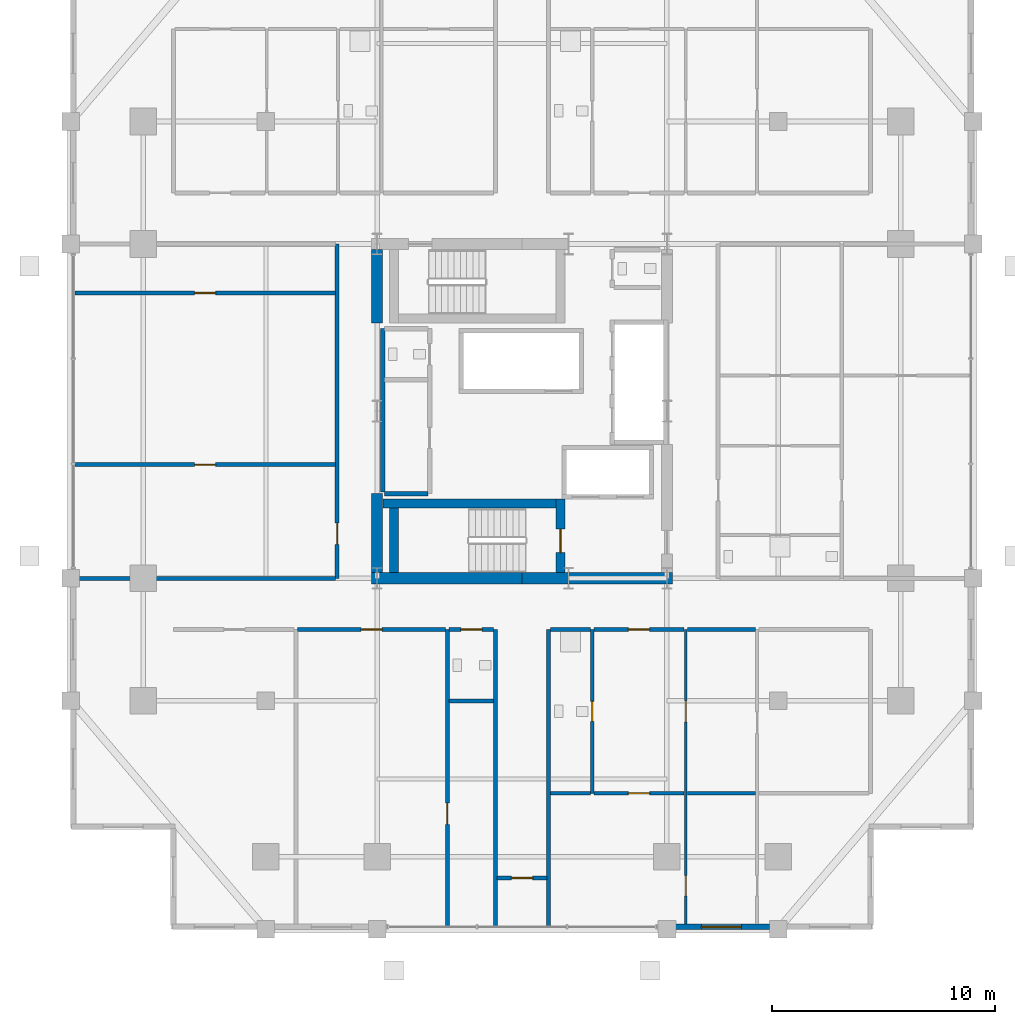
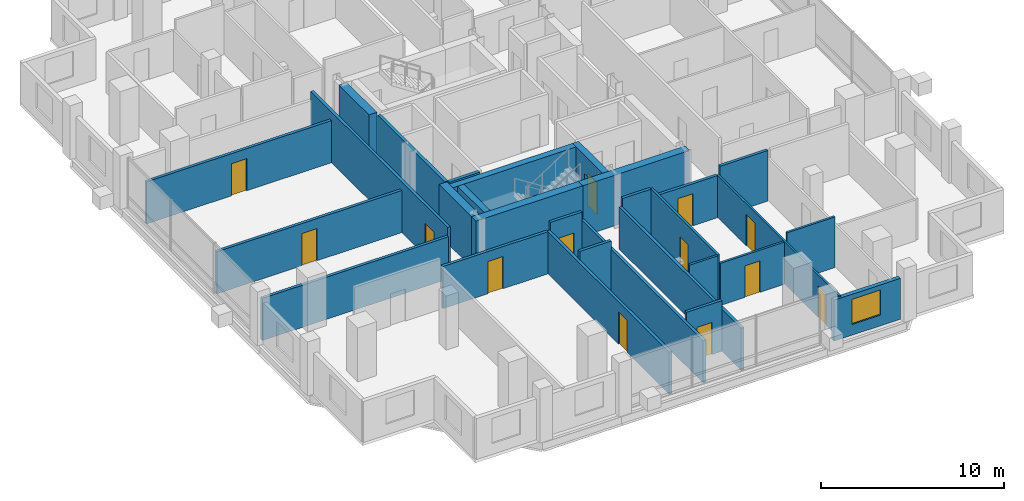
# One storey, part 14 of 20: 29 walls, 13 doors, 1 window, 14 openings.
"""IFC4 building model written with IfcOpenShell, lengths in metres."""

from ifc_helpers import new_model, si_unit, direction, frame, frame_2d, origin, place, context, subcontext, project, spatial, rectangle, extrude, material, layer, layer_set, type_object, element, fill, save


model = new_model("IFC4")

# Units and contexts
model_context = context("Model", 3, precision=1e-05, world=origin(), true_north=direction((0.0, 1.0)))
body_context = subcontext(model_context, "Body", "Model", "MODEL_VIEW")
ifc_project = project(units=[si_unit("LENGTHUNIT", "METRE"), si_unit("AREAUNIT", "SQUARE_METRE"), si_unit("VOLUMEUNIT", "CUBIC_METRE"), si_unit("PLANEANGLEUNIT", "RADIAN"), si_unit("MASSUNIT", "GRAM", prefix="KILO")], contexts=[model_context])

# Site, building, storey
site_placement = place(None, origin())
site = spatial("IfcSite", under=ifc_project, at=site_placement, CompositionType="ELEMENT")
building_placement = place(site_placement, origin())
building = spatial("IfcBuilding", under=site, at=building_placement, Name="Barlavira Tower and Art Museum", CompositionType="ELEMENT")
storey_placement = place(building_placement, frame((0.0, 0.0, 147.60009765625)))
storey = spatial("IfcBuildingStorey", under=building, at=storey_placement, Name="L37", CompositionType="ELEMENT", Elevation=147.60009765625)

# Wall, openings, doors
ifc_material_1 = material(Name="Gypsum acoustic stud partition", Category="gypsum")
ifc_layer_1 = layer(ifc_material_1, 0.1201171875, Name="Gypsum acoustic stud partition")
ifc_layer_set_1 = layer_set([ifc_layer_1], Name="Gypsum acoustic stud partition")
wall_type_1 = type_object("IfcWallType", Name="Apartment Internal Acoustic Partition 120", PredefinedType="PARTITIONING", material=ifc_layer_set_1)
wall_1_placement = place(storey_placement, frame((7.35009765625, -23.14990234375, 0.0), z_axis=(0.0, 0.0, 1.0), x_axis=(0.0, 1.0, 0.0)))
wall_1 = element("IfcWall", 1, at=wall_1_placement, inside=storey, type_object=wall_type_1, Name="L37 Partition Wall 17", PredefinedType="PARTITIONING", context=body_context, shape_type="SweptSolid", body=[
    extrude(rectangle(XDim=13.349853515625, YDim=0.1201171875, at=frame_2d((6.6748046875, 0.0))), origin(), (0.0, 0.0, 1.0), 2.81591796875),
])
opening_1_placement = place(wall_1_placement, frame((9.205078125, 0.0, 0.0)))
opening_1 = element("IfcOpeningElement", 2, at=opening_1_placement, cuts=wall_1, Name="Opening D-02", PredefinedType="OPENING", context=body_context, shape_type="SweptSolid", body=[
    extrude(rectangle(XDim=0.949951171875, YDim=2.10009765625, at=frame_2d((0.47509765625, 1.050048828125))), frame((0.0, 0.070068359375, 0.0), z_axis=(0.0, -1.0, 0.0), x_axis=(1.0, 0.0, 0.0)), (0.0, 0.0, 1.0), 0.14013671875),
])
opening_2_placement = place(wall_1_placement, frame((1.39892578125, 0.0, 0.0)))
opening_2 = element("IfcOpeningElement", 3, at=opening_2_placement, cuts=wall_1, Name="Opening D-01", PredefinedType="OPENING", context=body_context, shape_type="SweptSolid", body=[
    extrude(rectangle(XDim=0.89990234375, YDim=2.10009765625, at=frame_2d((0.449951171875, 1.050048828125))), frame((0.0, 0.070068359375, 0.0), z_axis=(0.0, -1.0, 0.0), x_axis=(1.0, 0.0, 0.0)), (0.0, 0.0, 1.0), 0.14013671875),
])
ifc_material_2 = material(Name="Engineered coastal hardwood", Category="wood")
door_type_1 = type_object("IfcDoorType", Name="Internal Bedroom Timber Flush Door 900x2100", OperationType="NOTDEFINED", PredefinedType="DOOR", material=ifc_material_2)
door_1_placement = place(opening_2_placement, origin())
door_1 = element("IfcDoor", 4, at=door_1_placement, inside=storey, type_object=door_type_1, Name="Apartment SE1 Bedroom 1 Door", OperationType="SINGLE_SWING_LEFT", OverallHeight=2.10009765625, OverallWidth=0.89990234375, PredefinedType="DOOR", context=body_context, shape_type="SweptSolid", body=[
    extrude(rectangle(XDim=0.89990234375, YDim=2.10009765625, at=frame_2d((0.449951171875, 1.050048828125))), frame((0.0, 0.02490234375, 0.0), z_axis=(0.0, -1.0, 0.0), x_axis=(1.0, 0.0, 0.0)), (0.0, 0.0, 1.0), 0.050048828125),
])
fill(opening_2, door_1)
door_type_2 = type_object("IfcDoorType", Name="Living and Salon Glazed-Leaf Door 950x2100", OperationType="NOTDEFINED", PredefinedType="DOOR", material=ifc_material_2)
door_2_placement = place(opening_1_placement, origin())
door_2 = element("IfcDoor", 5, at=door_2_placement, inside=storey, type_object=door_type_2, Name="Apartment SE1 Kitchen Door", OperationType="SINGLE_SWING_RIGHT", OverallHeight=2.10009765625, OverallWidth=0.949951171875, PredefinedType="DOOR", context=body_context, shape_type="SweptSolid", body=[
    extrude(rectangle(XDim=0.949951171875, YDim=2.10009765625, at=frame_2d((0.47509765625, 1.050048828125))), frame((0.0, 0.02490234375, 0.0), z_axis=(0.0, -1.0, 0.0), x_axis=(1.0, 0.0, 0.0)), (0.0, 0.0, 1.0), 0.050048828125),
])
fill(opening_1, door_2)

# Walls
ifc_material_3 = material(Name="Concrete C60", Category="concrete")
ifc_layer_2 = layer(ifc_material_3, 0.5, Name="Concrete C60")
ifc_layer_set_2 = layer_set([ifc_layer_2], Name="Concrete C60")
wall_type_2 = type_object("IfcWallType", Name="Core Structural Shear Wall 500 Concrete C60", PredefinedType="SHEAR", material=ifc_layer_set_2)
for number, where, z_axis, x_axis, name in (
    (6, (-6.75, -7.5, 0.0), (0.0, 0.0, 1.0), (1.0, 0.0, 0.0), "L37 Core Shear Wall CS-SW"),
    (7, (0.0, -7.5, 0.0), (0.0, 0.0, 1.0), (1.0, 0.0, 0.0), "L37 Core Shear Wall CS-SE"),
):
    element("IfcWall", number, at=place(storey_placement, frame(where, z_axis=z_axis, x_axis=x_axis)), inside=storey, type_object=wall_type_2, Name=name, PredefinedType="SHEAR", context=body_context, shape_type="SweptSolid", body=[
        extrude(rectangle(XDim=6.75, YDim=0.5, at=frame_2d((3.375, 0.0))), origin(), (0.0, 0.0, 1.0), 3.3798828125),
    ])
wall_2_placement = place(storey_placement, frame((-6.5, -7.25, 0.0), z_axis=(0.0, 0.0, 1.0), x_axis=(0.0, 1.0, 0.0)))
element("IfcWall", 8, at=wall_2_placement, inside=storey, type_object=wall_type_2, Name="L37 Core Shear Wall CS-W1", PredefinedType="SHEAR", context=body_context, shape_type="SweptSolid", body=[
    extrude(rectangle(XDim=3.550048828125, YDim=0.5, at=frame_2d((1.77490234375, 0.0))), origin(), (0.0, 0.0, 1.0), 3.3798828125),
])
wall_3_placement = place(storey_placement, frame((-6.5, 3.949951171875, 0.0), z_axis=(0.0, 0.0, 1.0), x_axis=(0.0, 1.0, 0.0)))
element("IfcWall", 9, at=wall_3_placement, inside=storey, type_object=wall_type_2, Name="L37 Core Shear Wall CS-W2", PredefinedType="SHEAR", context=body_context, shape_type="SweptSolid", body=[
    extrude(rectangle(XDim=3.300048828125, YDim=0.5, at=frame_2d((1.64990234375, 0.0))), origin(), (0.0, 0.0, 1.0), 3.3798828125),
])
ifc_material_4 = material(Name="Autoclaved aerated concrete masonry", Category="masonry")
ifc_layer_3 = layer(ifc_material_4, 0.199951171875, Name="Autoclaved aerated concrete masonry")
ifc_layer_set_3 = layer_set([ifc_layer_3], Name="Autoclaved aerated concrete masonry")
wall_type_3 = type_object("IfcWallType", Name="Fire Compartment and Shaft Wall 200", PredefinedType="SOLIDWALL", material=ifc_layer_set_3)
wall_4_placement = place(storey_placement, frame((-6.25, -3.639892578125, 0.0), z_axis=(0.0, 0.0, 1.0), x_axis=(0.0, 1.0, 0.0)))
element("IfcWall", 10, at=wall_4_placement, inside=storey, type_object=wall_type_3, Name="L37 Partition Wall 7", PredefinedType="SOLIDWALL", context=body_context, shape_type="SweptSolid", body=[
    extrude(rectangle(XDim=7.33984375, YDim=0.199951171875, at=frame_2d((3.669921875, 0.0))), origin(), (0.0, 0.0, 1.0), 3.3798828125),
])
wall_5_placement = place(storey_placement, frame((-6.169921875, -3.699951171875, 0.0), z_axis=(0.0, 0.0, 1.0), x_axis=(1.0, 0.0, 0.0)))
element("IfcWall", 11, at=wall_5_placement, inside=storey, type_object=wall_type_3, Name="L37 Partition Wall 42", PredefinedType="SOLIDWALL", context=body_context, shape_type="SweptSolid", body=[
    extrude(rectangle(XDim=1.93994140625, YDim=0.199951171875, at=frame_2d((0.969970703125, 0.0))), origin(), (0.0, 0.0, 1.0), 3.3798828125),
])

# Wall, opening, door
ifc_layer_4 = layer(ifc_material_1, 0.179931640625, Name="Gypsum acoustic stud partition")
ifc_layer_set_4 = layer_set([ifc_layer_4], Name="Gypsum acoustic stud partition")
wall_type_4 = type_object("IfcWallType", Name="Inter-Tenancy Party Partition Wall 180", PredefinedType="PARTITIONING", material=ifc_layer_set_4)
wall_6_placement = place(storey_placement, frame((-8.300048828125, -7.5, 0.0), z_axis=(0.0, 0.0, 1.0), x_axis=(0.0, 1.0, 0.0)))
wall_6 = element("IfcWall", 12, at=wall_6_placement, inside=storey, type_object=wall_type_4, Name="L37 Partition Wall 4", PredefinedType="PARTITIONING", context=body_context, shape_type="SweptSolid", body=[
    extrude(rectangle(XDim=15.0, YDim=0.179931640625, at=frame_2d((7.5, 0.0))), origin(), (0.0, 0.0, 1.0), 3.3798828125),
])
opening_3_placement = place(wall_6_placement, frame((1.52490234375, 0.0, 0.0)))
opening_3 = element("IfcOpeningElement", 13, at=opening_3_placement, cuts=wall_6, Name="Opening FD-60", PredefinedType="OPENING", context=body_context, shape_type="SweptSolid", body=[
    extrude(rectangle(XDim=0.949951171875, YDim=2.14990234375, at=frame_2d((0.47509765625, 1.074951171875))), frame((0.0, 0.10009765625, 0.0), z_axis=(0.0, -1.0, 0.0), x_axis=(1.0, 0.0, 0.0)), (0.0, 0.0, 1.0), 0.199951171875),
])
ifc_material_5 = material(Name="Brushed stainless steel", Category="steel")
door_type_3 = type_object("IfcDoorType", Name="Apartment Entrance and Riser Fire Door 950x2150 FD60S", OperationType="NOTDEFINED", PredefinedType="DOOR", material=ifc_material_5)
door_3_placement = place(opening_3_placement, origin())
door_3 = element("IfcDoor", 14, at=door_3_placement, inside=storey, type_object=door_type_3, Name="Resident Sky Coworking Studio Door", OperationType="SINGLE_SWING_RIGHT", OverallHeight=2.14990234375, OverallWidth=0.949951171875, PredefinedType="DOOR", context=body_context, shape_type="SweptSolid", body=[
    extrude(rectangle(XDim=0.949951171875, YDim=2.14990234375, at=frame_2d((0.47509765625, 1.074951171875))), frame((0.0, 0.02490234375, 0.0), z_axis=(0.0, -1.0, 0.0), x_axis=(1.0, 0.0, 0.0)), (0.0, 0.0, 1.0), 0.050048828125),
])
fill(opening_3, door_3)

wall_7_placement = place(storey_placement, frame((-3.35009765625, -23.14990234375, 0.0), z_axis=(0.0, 0.0, 1.0), x_axis=(0.0, 1.0, 0.0)))
wall_7 = element("IfcWall", 15, at=wall_7_placement, inside=storey, type_object=wall_type_4, Name="L37 Partition Wall 9", PredefinedType="PARTITIONING", context=body_context, shape_type="SweptSolid", body=[
    extrude(rectangle(XDim=13.349853515625, YDim=0.179931640625, at=frame_2d((6.6748046875, 0.0))), origin(), (0.0, 0.0, 1.0), 2.81591796875),
])
opening_4_placement = place(wall_7_placement, frame((4.60498046875, 0.0, 0.0)))
opening_4 = element("IfcOpeningElement", 16, at=opening_4_placement, cuts=wall_7, Name="Opening FD-60", PredefinedType="OPENING", context=body_context, shape_type="SweptSolid", body=[
    extrude(rectangle(XDim=0.949951171875, YDim=2.14990234375, at=frame_2d((0.47509765625, 1.074951171875))), frame((0.0, 0.10009765625, 0.0), z_axis=(0.0, -1.0, 0.0), x_axis=(1.0, 0.0, 0.0)), (0.0, 0.0, 1.0), 0.199951171875),
])
door_4_placement = place(opening_4_placement, origin())
door_4 = element("IfcDoor", 17, at=door_4_placement, inside=storey, type_object=door_type_3, Name="Thermal Relaxation Lounge Door", OperationType="SINGLE_SWING_LEFT", OverallHeight=2.14990234375, OverallWidth=0.949951171875, PredefinedType="DOOR", context=body_context, shape_type="SweptSolid", body=[
    extrude(rectangle(XDim=0.949951171875, YDim=2.14990234375, at=frame_2d((0.47509765625, 1.074951171875))), frame((0.0, 0.02490234375, 0.0), z_axis=(0.0, -1.0, 0.0), x_axis=(1.0, 0.0, 0.0)), (0.0, 0.0, 1.0), 0.050048828125),
])
fill(opening_4, door_4)

# Walls
for number, where, z_axis, x_axis, name in (
    (18, (-1.199951171875, -23.14990234375, 0.0), (0.0, 0.0, 1.0), (0.0, 1.0, 0.0), "L37 Partition Wall 10"),
    (19, (1.199951171875, -23.14990234375, 0.0), (0.0, 0.0, 1.0), (0.0, 1.0, 0.0), "L37 Partition Wall 12"),
):
    element("IfcWall", number, at=place(storey_placement, frame(where, z_axis=z_axis, x_axis=x_axis)), inside=storey, type_object=wall_type_4, Name=name, PredefinedType="PARTITIONING", context=body_context, shape_type="SweptSolid", body=[
        extrude(rectangle(XDim=13.349853515625, YDim=0.179931640625, at=frame_2d((6.6748046875, 0.0))), origin(), (0.0, 0.0, 1.0), 2.81591796875),
    ])

# Wall, opening, door
wall_8_placement = place(storey_placement, frame((-1.1201171875, -20.949951171875, 0.0), z_axis=(0.0, 0.0, 1.0), x_axis=(1.0, 0.0, 0.0)))
wall_8 = element("IfcWall", 20, at=wall_8_placement, inside=storey, type_object=wall_type_4, Name="L37 Partition Wall 25", PredefinedType="PARTITIONING", context=body_context, shape_type="SweptSolid", body=[
    extrude(rectangle(XDim=2.240234375, YDim=0.179931640625, at=frame_2d((1.1201171875, 0.0))), origin(), (0.0, 0.0, 1.0), 3.3798828125),
])
opening_5_placement = place(wall_8_placement, frame((0.64501953125, 0.0, 0.0)))
opening_5 = element("IfcOpeningElement", 21, at=opening_5_placement, cuts=wall_8, Name="Opening FD-60", PredefinedType="OPENING", context=body_context, shape_type="SweptSolid", body=[
    extrude(rectangle(XDim=0.949951171875, YDim=2.14990234375, at=frame_2d((0.47509765625, 1.074951171875))), frame((0.0, 0.10009765625, 0.0), z_axis=(0.0, -1.0, 0.0), x_axis=(1.0, 0.0, 0.0)), (0.0, 0.0, 1.0), 0.199951171875),
])
door_5_placement = place(opening_5_placement, origin())
door_5 = element("IfcDoor", 22, at=door_5_placement, inside=storey, type_object=door_type_3, Name="L37 South Horizon Reading Alcove Door", OperationType="SINGLE_SWING_LEFT", OverallHeight=2.14990234375, OverallWidth=0.949951171875, PredefinedType="DOOR", context=body_context, shape_type="SweptSolid", body=[
    extrude(rectangle(XDim=0.949951171875, YDim=2.14990234375, at=frame_2d((0.47509765625, 1.074951171875))), frame((0.0, 0.02490234375, 0.0), z_axis=(0.0, -1.0, 0.0), x_axis=(1.0, 0.0, 0.0)), (0.0, 0.0, 1.0), 0.050048828125),
])
fill(opening_5, door_5)

# Wall
wall_9_placement = place(storey_placement, frame((-3.27001953125, -13.0, 0.0), z_axis=(0.0, 0.0, 1.0), x_axis=(1.0, 0.0, 0.0)))
element("IfcWall", 23, at=wall_9_placement, inside=storey, type_object=wall_type_4, Name="L37 Partition Wall 30", PredefinedType="PARTITIONING", context=body_context, shape_type="SweptSolid", body=[
    extrude(rectangle(XDim=1.989990234375, YDim=0.179931640625, at=frame_2d((0.9951171875, 0.0))), origin(), (0.0, 0.0, 1.0), 3.3798828125),
])

# Wall, opening, door
wall_10_placement = place(storey_placement, frame((-10.070068359375, -9.800048828125, 0.0), z_axis=(0.0, 0.0, 1.0), x_axis=(1.0, 0.0, 0.0)))
wall_10 = element("IfcWall", 24, at=wall_10_placement, inside=storey, type_object=wall_type_4, Name="L37 Partition Wall 32", PredefinedType="PARTITIONING", context=body_context, shape_type="SweptSolid", body=[
    extrude(rectangle(XDim=6.64013671875, YDim=0.179931640625, at=frame_2d((3.320068359375, 0.0))), origin(), (0.0, 0.0, 1.0), 2.81591796875),
])
opening_6_placement = place(wall_10_placement, frame((2.844970703125, 0.0, 0.0)))
opening_6 = element("IfcOpeningElement", 25, at=opening_6_placement, cuts=wall_10, Name="Opening FD-60", PredefinedType="OPENING", context=body_context, shape_type="SweptSolid", body=[
    extrude(rectangle(XDim=0.949951171875, YDim=2.14990234375, at=frame_2d((0.47509765625, 1.074951171875))), frame((0.0, 0.10009765625, 0.0), z_axis=(0.0, -1.0, 0.0), x_axis=(1.0, 0.0, 0.0)), (0.0, 0.0, 1.0), 0.199951171875),
])
door_6_placement = place(opening_6_placement, origin())
door_6 = element("IfcDoor", 26, at=door_6_placement, inside=storey, type_object=door_type_3, Name="Coastal Hydrotherapy and Yoga Lounge Door", OperationType="SINGLE_SWING_LEFT", OverallHeight=2.14990234375, OverallWidth=0.949951171875, PredefinedType="DOOR", context=body_context, shape_type="SweptSolid", body=[
    extrude(rectangle(XDim=0.949951171875, YDim=2.14990234375, at=frame_2d((0.47509765625, 1.074951171875))), frame((0.0, 0.02490234375, 0.0), z_axis=(0.0, -1.0, 0.0), x_axis=(1.0, 0.0, 0.0)), (0.0, 0.0, 1.0), 0.050048828125),
])
fill(opening_6, door_6)

wall_11_placement = place(storey_placement, frame((-3.27001953125, -9.800048828125, 0.0), z_axis=(0.0, 0.0, 1.0), x_axis=(1.0, 0.0, 0.0)))
wall_11 = element("IfcWall", 27, at=wall_11_placement, inside=storey, type_object=wall_type_4, Name="L37 Partition Wall 33", PredefinedType="PARTITIONING", context=body_context, shape_type="SweptSolid", body=[
    extrude(rectangle(XDim=1.989990234375, YDim=0.179931640625, at=frame_2d((0.9951171875, 0.0))), origin(), (0.0, 0.0, 1.0), 3.3798828125),
])
opening_7_placement = place(wall_11_placement, frame((0.52490234375, 0.0, 0.0)))
opening_7 = element("IfcOpeningElement", 28, at=opening_7_placement, cuts=wall_11, Name="Opening FD-60", PredefinedType="OPENING", context=body_context, shape_type="SweptSolid", body=[
    extrude(rectangle(XDim=0.949951171875, YDim=2.14990234375, at=frame_2d((0.47509765625, 1.074951171875))), frame((0.0, 0.10009765625, 0.0), z_axis=(0.0, -1.0, 0.0), x_axis=(1.0, 0.0, 0.0)), (0.0, 0.0, 1.0), 0.199951171875),
])
door_7_placement = place(opening_7_placement, origin())
door_7 = element("IfcDoor", 29, at=door_7_placement, inside=storey, type_object=door_type_3, Name="Wellness Changing and Accessible Shower WC Door", OperationType="SINGLE_SWING_RIGHT", OverallHeight=2.14990234375, OverallWidth=0.949951171875, PredefinedType="DOOR", context=body_context, shape_type="SweptSolid", body=[
    extrude(rectangle(XDim=0.949951171875, YDim=2.14990234375, at=frame_2d((0.47509765625, 1.074951171875))), frame((0.0, 0.02490234375, 0.0), z_axis=(0.0, -1.0, 0.0), x_axis=(1.0, 0.0, 0.0)), (0.0, 0.0, 1.0), 0.050048828125),
])
fill(opening_7, door_7)

# Wall
wall_12_placement = place(storey_placement, frame((1.280029296875, -9.800048828125, 0.0), z_axis=(0.0, 0.0, 1.0), x_axis=(1.0, 0.0, 0.0)))
element("IfcWall", 30, at=wall_12_placement, inside=storey, type_object=wall_type_4, Name="L37 Partition Wall 34", PredefinedType="PARTITIONING", context=body_context, shape_type="SweptSolid", body=[
    extrude(rectangle(XDim=1.7900390625, YDim=0.179931640625, at=frame_2d((0.89501953125, 0.0))), origin(), (0.0, 0.0, 1.0), 3.3798828125),
])

# Wall, opening, door
wall_13_placement = place(storey_placement, frame((3.22998046875, -9.800048828125, 0.0), z_axis=(0.0, 0.0, 1.0), x_axis=(1.0, 0.0, 0.0)))
wall_13 = element("IfcWall", 31, at=wall_13_placement, inside=storey, type_object=wall_type_4, Name="L37 Partition Wall 35", PredefinedType="PARTITIONING", context=body_context, shape_type="SweptSolid", body=[
    extrude(rectangle(XDim=4.0400390625, YDim=0.179931640625, at=frame_2d((2.02001953125, 0.0))), origin(), (0.0, 0.0, 1.0), 2.81591796875),
])
opening_8_placement = place(wall_13_placement, frame((1.544921875, 0.0, 0.0)))
opening_8 = element("IfcOpeningElement", 32, at=opening_8_placement, cuts=wall_13, Name="Opening FD-60", PredefinedType="OPENING", context=body_context, shape_type="SweptSolid", body=[
    extrude(rectangle(XDim=0.949951171875, YDim=2.14990234375, at=frame_2d((0.47509765625, 1.074951171875))), frame((0.0, 0.10009765625, 0.0), z_axis=(0.0, -1.0, 0.0), x_axis=(1.0, 0.0, 0.0)), (0.0, 0.0, 1.0), 0.199951171875),
])
door_8_placement = place(opening_8_placement, origin())
door_8 = element("IfcDoor", 33, at=door_8_placement, inside=storey, type_object=door_type_3, Name="Apartment Entrance Hall SE1 Door", OperationType="SINGLE_SWING_LEFT", OverallHeight=2.14990234375, OverallWidth=0.949951171875, PredefinedType="DOOR", context=body_context, shape_type="SweptSolid", body=[
    extrude(rectangle(XDim=0.949951171875, YDim=2.14990234375, at=frame_2d((0.47509765625, 1.074951171875))), frame((0.0, 0.02490234375, 0.0), z_axis=(0.0, -1.0, 0.0), x_axis=(1.0, 0.0, 0.0)), (0.0, 0.0, 1.0), 0.050048828125),
])
fill(opening_8, door_8)

# Walls
wall_14_placement = place(storey_placement, frame((7.429931640625, -9.800048828125, 0.0), z_axis=(0.0, 0.0, 1.0), x_axis=(1.0, 0.0, 0.0)))
element("IfcWall", 34, at=wall_14_placement, inside=storey, type_object=wall_type_4, Name="L37 Partition Wall 36", PredefinedType="PARTITIONING", context=body_context, shape_type="SweptSolid", body=[
    extrude(rectangle(XDim=3.0400390625, YDim=0.179931640625, at=frame_2d((1.52001953125, 0.0))), origin(), (0.0, 0.0, 1.0), 3.3798828125),
])
wall_15_placement = place(storey_placement, frame((-20.14990234375, -7.5, 0.0), z_axis=(0.0, 0.0, 1.0), x_axis=(1.0, 0.0, 0.0)))
element("IfcWall", 35, at=wall_15_placement, inside=storey, type_object=wall_type_4, Name="L37 Partition Wall 38", PredefinedType="PARTITIONING", context=body_context, shape_type="SweptSolid", body=[
    extrude(rectangle(XDim=11.77001953125, YDim=0.179931640625, at=frame_2d((5.885009765625, 0.0))), origin(), (0.0, 0.0, 1.0), 2.81591796875),
])

# Wall, opening, door
wall_16_placement = place(storey_placement, frame((-20.070068359375, -2.39990234375, 0.0), z_axis=(0.0, 0.0, 1.0), x_axis=(1.0, 0.0, 0.0)))
wall_16 = element("IfcWall", 36, at=wall_16_placement, inside=storey, type_object=wall_type_4, Name="L37 Partition Wall 43", PredefinedType="PARTITIONING", context=body_context, shape_type="SweptSolid", body=[
    extrude(rectangle(XDim=11.690185546875, YDim=0.179931640625, at=frame_2d((5.84521484375, 0.0))), origin(), (0.0, 0.0, 1.0), 2.81591796875),
])
opening_9_placement = place(wall_16_placement, frame((5.375, 0.0, 0.0)))
opening_9 = element("IfcOpeningElement", 37, at=opening_9_placement, cuts=wall_16, Name="Opening FD-60", PredefinedType="OPENING", context=body_context, shape_type="SweptSolid", body=[
    extrude(rectangle(XDim=0.949951171875, YDim=2.14990234375, at=frame_2d((0.47509765625, 1.074951171875))), frame((0.0, 0.10009765625, 0.0), z_axis=(0.0, -1.0, 0.0), x_axis=(1.0, 0.0, 0.0)), (0.0, 0.0, 1.0), 0.199951171875),
])
door_9_placement = place(opening_9_placement, origin())
door_9 = element("IfcDoor", 38, at=door_9_placement, inside=storey, type_object=door_type_3, Name="Atlantic Horizon Boardroom Door", OperationType="SINGLE_SWING_LEFT", OverallHeight=2.14990234375, OverallWidth=0.949951171875, PredefinedType="DOOR", context=body_context, shape_type="SweptSolid", body=[
    extrude(rectangle(XDim=0.949951171875, YDim=2.14990234375, at=frame_2d((0.47509765625, 1.074951171875))), frame((0.0, 0.02490234375, 0.0), z_axis=(0.0, -1.0, 0.0), x_axis=(1.0, 0.0, 0.0)), (0.0, 0.0, 1.0), 0.050048828125),
])
fill(opening_9, door_9)

wall_17_placement = place(storey_placement, frame((-20.070068359375, 5.300048828125, 0.0), z_axis=(0.0, 0.0, 1.0), x_axis=(1.0, 0.0, 0.0)))
wall_17 = element("IfcWall", 39, at=wall_17_placement, inside=storey, type_object=wall_type_4, Name="L37 Partition Wall 49", PredefinedType="PARTITIONING", context=body_context, shape_type="SweptSolid", body=[
    extrude(rectangle(XDim=11.690185546875, YDim=0.179931640625, at=frame_2d((5.84521484375, 0.0))), origin(), (0.0, 0.0, 1.0), 2.81591796875),
])
opening_10_placement = place(wall_17_placement, frame((5.375, 0.0, 0.0)))
opening_10 = element("IfcOpeningElement", 40, at=opening_10_placement, cuts=wall_17, Name="Opening FD-60", PredefinedType="OPENING", context=body_context, shape_type="SweptSolid", body=[
    extrude(rectangle(XDim=0.949951171875, YDim=2.14990234375, at=frame_2d((0.47509765625, 1.074951171875))), frame((0.0, 0.10009765625, 0.0), z_axis=(0.0, -1.0, 0.0), x_axis=(1.0, 0.0, 0.0)), (0.0, 0.0, 1.0), 0.199951171875),
])
door_10_placement = place(opening_10_placement, origin())
door_10 = element("IfcDoor", 41, at=door_10_placement, inside=storey, type_object=door_type_3, Name="Shared Coworking Espresso Pantry Door", OperationType="SINGLE_SWING_RIGHT", OverallHeight=2.14990234375, OverallWidth=0.949951171875, PredefinedType="DOOR", context=body_context, shape_type="SweptSolid", body=[
    extrude(rectangle(XDim=0.949951171875, YDim=2.14990234375, at=frame_2d((0.47509765625, 1.074951171875))), frame((0.0, 0.02490234375, 0.0), z_axis=(0.0, -1.0, 0.0), x_axis=(1.0, 0.0, 0.0)), (0.0, 0.0, 1.0), 0.050048828125),
])
fill(opening_10, door_10)

ifc_layer_5 = layer(ifc_material_1, 0.139892578125, Name="Gypsum acoustic stud partition")
ifc_layer_set_5 = layer_set([ifc_layer_5], Name="Gypsum acoustic stud partition")
wall_type_5 = type_object("IfcWallType", Name="Moisture-Resistant Bathroom Partition 140", PredefinedType="PARTITIONING", material=ifc_layer_set_5)
wall_18_placement = place(storey_placement, frame((3.14990234375, -17.14990234375, 0.0), z_axis=(0.0, 0.0, 1.0), x_axis=(0.0, 1.0, 0.0)))
wall_18 = element("IfcWall", 42, at=wall_18_placement, inside=storey, type_object=wall_type_5, Name="L37 Partition Wall 14", PredefinedType="PARTITIONING", context=body_context, shape_type="SweptSolid", body=[
    extrude(rectangle(XDim=7.349853515625, YDim=0.139892578125, at=frame_2d((3.6748046875, 0.0))), origin(), (0.0, 0.0, 1.0), 3.3798828125),
])
opening_11_placement = place(wall_18_placement, frame((3.22998046875, 0.0, 0.0)))
opening_11 = element("IfcOpeningElement", 43, at=opening_11_placement, cuts=wall_18, Name="Opening D-WC", PredefinedType="OPENING", context=body_context, shape_type="SweptSolid", body=[
    extrude(rectangle(XDim=0.89990234375, YDim=2.10009765625, at=frame_2d((0.449951171875, 1.050048828125))), frame((0.0, 0.080078125, 0.0), z_axis=(0.0, -1.0, 0.0), x_axis=(1.0, 0.0, 0.0)), (0.0, 0.0, 1.0), 0.159912109375),
])
door_type_4 = type_object("IfcDoorType", Name="Accessible Bathroom Flush Door 900x2100", OperationType="NOTDEFINED", PredefinedType="DOOR", material=ifc_material_2)
door_11_placement = place(opening_11_placement, origin())
door_11 = element("IfcDoor", 44, at=door_11_placement, inside=storey, type_object=door_type_4, Name="Apartment SE1 Hall Bathroom Door", OperationType="SINGLE_SWING_RIGHT", OverallHeight=2.10009765625, OverallWidth=0.89990234375, PredefinedType="DOOR", context=body_context, shape_type="SweptSolid", body=[
    extrude(rectangle(XDim=0.89990234375, YDim=2.10009765625, at=frame_2d((0.449951171875, 1.050048828125))), frame((0.0, 0.02490234375, 0.0), z_axis=(0.0, -1.0, 0.0), x_axis=(1.0, 0.0, 0.0)), (0.0, 0.0, 1.0), 0.050048828125),
])
fill(opening_11, door_11)

# Wall
wall_19_placement = place(storey_placement, frame((1.280029296875, -17.14990234375, 0.0), z_axis=(0.0, 0.0, 1.0), x_axis=(1.0, 0.0, 0.0)))
element("IfcWall", 45, at=wall_19_placement, inside=storey, type_object=wall_type_5, Name="L37 Partition Wall 26", PredefinedType="PARTITIONING", context=body_context, shape_type="SweptSolid", body=[
    extrude(rectangle(XDim=1.7900390625, YDim=0.139892578125, at=frame_2d((0.89501953125, 0.0))), origin(), (0.0, 0.0, 1.0), 3.3798828125),
])

# Wall, opening, door
wall_20_placement = place(storey_placement, frame((3.22998046875, -17.14990234375, 0.0), z_axis=(0.0, 0.0, 1.0), x_axis=(1.0, 0.0, 0.0)))
wall_20 = element("IfcWall", 46, at=wall_20_placement, inside=storey, type_object=wall_type_5, Name="L37 Partition Wall 27", PredefinedType="PARTITIONING", context=body_context, shape_type="SweptSolid", body=[
    extrude(rectangle(XDim=4.0400390625, YDim=0.139892578125, at=frame_2d((2.02001953125, 0.0))), origin(), (0.0, 0.0, 1.0), 2.81591796875),
])
opening_12_placement = place(wall_20_placement, frame((1.544921875, 0.0, 0.0)))
opening_12 = element("IfcOpeningElement", 47, at=opening_12_placement, cuts=wall_20, Name="Opening D-02", PredefinedType="OPENING", context=body_context, shape_type="SweptSolid", body=[
    extrude(rectangle(XDim=0.949951171875, YDim=2.10009765625, at=frame_2d((0.47509765625, 1.050048828125))), frame((0.0, 0.080078125, 0.0), z_axis=(0.0, -1.0, 0.0), x_axis=(1.0, 0.0, 0.0)), (0.0, 0.0, 1.0), 0.159912109375),
])
door_12_placement = place(opening_12_placement, origin())
door_12 = element("IfcDoor", 48, at=door_12_placement, inside=storey, type_object=door_type_2, Name="Apartment SE1 Living Lounge Door", OperationType="SINGLE_SWING_RIGHT", OverallHeight=2.10009765625, OverallWidth=0.949951171875, PredefinedType="DOOR", context=body_context, shape_type="SweptSolid", body=[
    extrude(rectangle(XDim=0.949951171875, YDim=2.10009765625, at=frame_2d((0.47509765625, 1.050048828125))), frame((0.0, 0.02490234375, 0.0), z_axis=(0.0, -1.0, 0.0), x_axis=(1.0, 0.0, 0.0)), (0.0, 0.0, 1.0), 0.050048828125),
])
fill(opening_12, door_12)

# Wall
wall_21_placement = place(storey_placement, frame((7.429931640625, -17.14990234375, 0.0), z_axis=(0.0, 0.0, 1.0), x_axis=(1.0, 0.0, 0.0)))
element("IfcWall", 49, at=wall_21_placement, inside=storey, type_object=wall_type_5, Name="L37 Partition Wall 28", PredefinedType="PARTITIONING", context=body_context, shape_type="SweptSolid", body=[
    extrude(rectangle(XDim=3.0400390625, YDim=0.139892578125, at=frame_2d((1.52001953125, 0.0))), origin(), (0.0, 0.0, 1.0), 3.3798828125),
])

# Wall, opening, window
ifc_material_6 = material(Name="Precast concrete C40", Category="concrete")
ifc_layer_6 = layer(ifc_material_6, 0.25, Name="Precast concrete C40")
ifc_layer_set_6 = layer_set([ifc_layer_6], Name="Precast concrete C40")
wall_type_6 = type_object("IfcWallType", Name="Notched Corner Spandrel Wall 250 Precast Concrete C40", PredefinedType="SOLIDWALL", material=ifc_layer_set_6)
wall_22_placement = place(storey_placement, frame((6.89501953125, -23.14990234375, 0.0), z_axis=(0.0, 0.0, 1.0), x_axis=(1.0, 0.0, 0.0)))
wall_22 = element("IfcWall", 50, at=wall_22_placement, inside=storey, type_object=wall_type_6, Name="L37 Coastal Facade Pier Wall CW2-L37-S-4", PredefinedType="SOLIDWALL", context=body_context, shape_type="SweptSolid", body=[
    extrude(rectangle(XDim=4.2099609375, YDim=0.25, at=frame_2d((2.10498046875, 0.0))), origin(), (0.0, 0.0, 1.0), 2.73583984375),
])
opening_13_placement = place(wall_22_placement, frame((1.155029296875, 0.0, 0.719970703125)))
opening_13 = element("IfcOpeningElement", 51, at=opening_13_placement, cuts=wall_22, Name="Opening WN-01", PredefinedType="OPENING", context=body_context, shape_type="SweptSolid", body=[
    extrude(rectangle(XDim=1.800048828125, YDim=1.679931640625, at=frame_2d((0.89990234375, 0.83984375))), frame((0.0, 0.135009765625, 0.0), z_axis=(0.0, -1.0, 0.0), x_axis=(1.0, 0.0, 0.0)), (0.0, 0.0, 1.0), 0.27001953125),
])
ifc_material_7 = material(Name="Low-iron coastal laminated glass", Category="glass")
window_type = type_object("IfcWindowType", Name="Recessed Notch Corner Punch Window 1800x1680", PartitioningType="SINGLE_PANEL", PredefinedType="WINDOW", material=ifc_material_7)
window_placement = place(opening_13_placement, origin())
window = element("IfcWindow", 52, at=window_placement, inside=storey, type_object=window_type, Name="L37 Punched Facade Window EWP-CW2-L37-S-4-1", OverallHeight=1.679931640625, OverallWidth=1.800048828125, PartitioningType="SINGLE_PANEL", PredefinedType="WINDOW", context=body_context, shape_type="SweptSolid", body=[
    extrude(rectangle(XDim=1.800048828125, YDim=1.679931640625, at=frame_2d((0.89990234375, 0.83984375))), frame((0.0, 0.030029296875, 0.0), z_axis=(0.0, -1.0, 0.0), x_axis=(1.0, 0.0, 0.0)), (0.0, 0.0, 1.0), 0.06005859375),
])
fill(opening_13, window)

# Walls
ifc_material_8 = material(Name="Concrete C55", Category="concrete")
ifc_layer_7 = layer(ifc_material_8, 0.39990234375, Name="Concrete C55")
ifc_layer_set_7 = layer_set([ifc_layer_7], Name="Concrete C55")
wall_type_7 = type_object("IfcWallType", Name="Upper Core Shear Wall 400 Concrete C55", PredefinedType="SHEAR", material=ifc_layer_set_7)
wall_23_placement = place(storey_placement, frame((-5.75, -7.25, 0.0), z_axis=(0.0, 0.0, 1.0), x_axis=(0.0, 1.0, 0.0)))
element("IfcWall", 53, at=wall_23_placement, inside=storey, type_object=wall_type_7, Name="L37 ST-T1 West Half-Landing Wall", PredefinedType="SHEAR", context=body_context, shape_type="SweptSolid", body=[
    extrude(rectangle(XDim=2.89990234375, YDim=0.39990234375, at=frame_2d((1.449951171875, 0.0))), origin(), (0.0, 0.0, 1.0), 3.3798828125),
])
wall_24_placement = place(storey_placement, frame((-6.25, -4.14990234375, 0.0), z_axis=(0.0, 0.0, 1.0), x_axis=(1.0, 0.0, 0.0)))
element("IfcWall", 54, at=wall_24_placement, inside=storey, type_object=wall_type_7, Name="L37 ST-T1 North Shaft Wall", PredefinedType="SHEAR", context=body_context, shape_type="SweptSolid", body=[
    extrude(rectangle(XDim=7.780029296875, YDim=0.39990234375, at=frame_2d((3.89013671875, 0.0))), origin(), (0.0, 0.0, 1.0), 3.3798828125),
])

# Wall, opening, door
wall_25_placement = place(storey_placement, frame((1.72998046875, -7.25, 0.0), z_axis=(0.0, 0.0, 1.0), x_axis=(0.0, 1.0, 0.0)))
wall_25 = element("IfcWall", 55, at=wall_25_placement, inside=storey, type_object=wall_type_7, Name="L37 ST-T1 East Landing Wall", PredefinedType="SHEAR", context=body_context, shape_type="SweptSolid", body=[
    extrude(rectangle(XDim=3.300048828125, YDim=0.39990234375, at=frame_2d((1.64990234375, 0.0))), origin(), (0.0, 0.0, 1.0), 3.3798828125),
])
opening_14_placement = place(wall_25_placement, frame((0.89990234375, 0.0, 0.0)))
opening_14 = element("IfcOpeningElement", 56, at=opening_14_placement, cuts=wall_25, Name="Opening FD-90", PredefinedType="OPENING", context=body_context, shape_type="SweptSolid", body=[
    extrude(rectangle(XDim=1.050048828125, YDim=2.14990234375, at=frame_2d((0.52490234375, 1.074951171875))), frame((0.0, 0.2099609375, 0.0), z_axis=(0.0, -1.0, 0.0), x_axis=(1.0, 0.0, 0.0)), (0.0, 0.0, 1.0), 0.419921875),
])
door_type_5 = type_object("IfcDoorType", Name="Stair and Refuge Fire Door 1050x2150 FD90S", OperationType="NOTDEFINED", PredefinedType="DOOR", material=ifc_material_5)
door_13_placement = place(opening_14_placement, origin())
door_13 = element("IfcDoor", 57, at=door_13_placement, inside=storey, type_object=door_type_5, Name="L37 Stair ST-T1 Fire Door", OperationType="SINGLE_SWING_RIGHT", OverallHeight=2.14990234375, OverallWidth=1.050048828125, PredefinedType="DOOR", context=body_context, shape_type="SweptSolid", body=[
    extrude(rectangle(XDim=1.050048828125, YDim=2.14990234375, at=frame_2d((0.52490234375, 1.074951171875))), frame((0.0, 0.02490234375, 0.0), z_axis=(0.0, -1.0, 0.0), x_axis=(1.0, 0.0, 0.0)), (0.0, 0.0, 1.0), 0.050048828125),
])
fill(opening_14, door_13)

save(model, "model.ifc")
